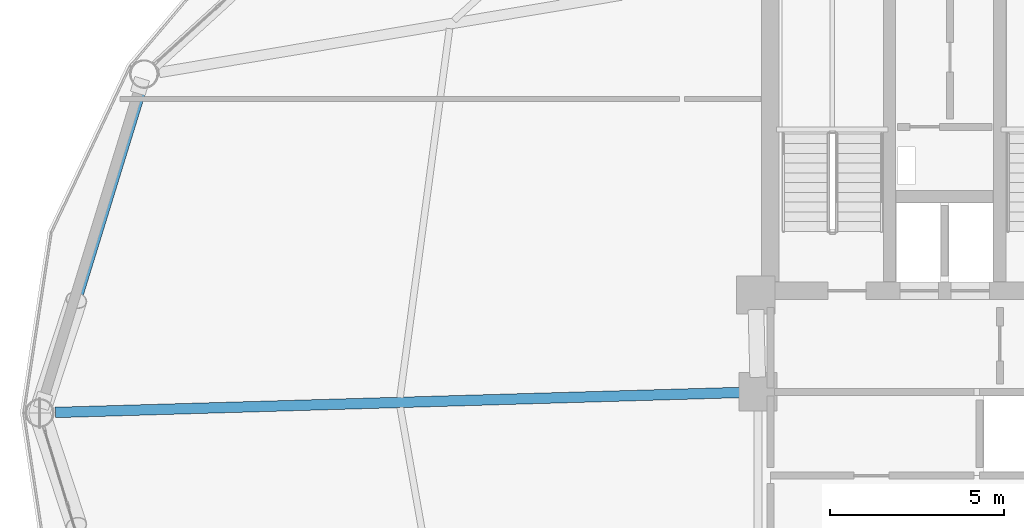
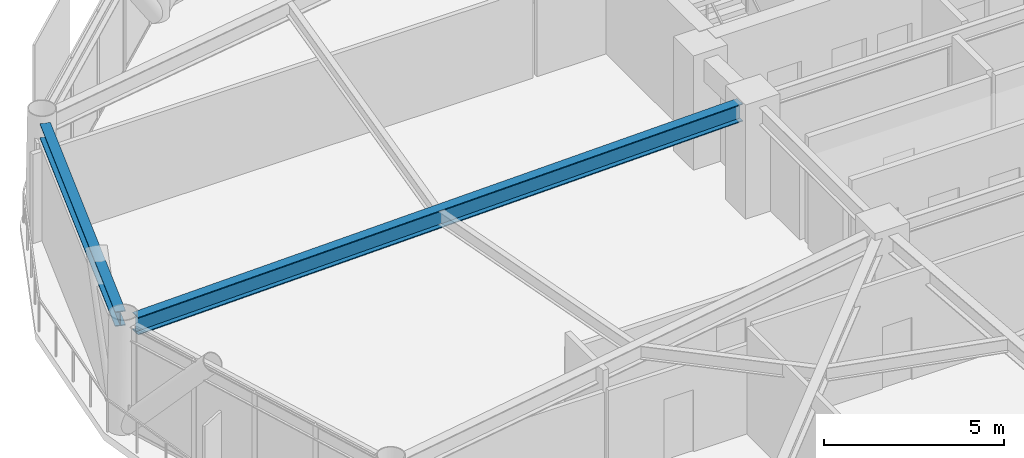
# One storey, part 9 of 24: 2 beams.
"""IFC4 building model written with IfcOpenShell, lengths in metres."""

import ifcopenshell
import ifcopenshell.guid

model = None  # the IFC model being written
_history = None  # IfcOwnerHistory: only IFC2X3 demands one
_inside = {}  # id of a spatial element -> (the spatial element, [elements in it])
_under = {}  # id of a project, library or spatial element -> (it, [spatial elements below it])
_declared = {}  # id of a project -> (the project, [libraries it declares])
_typed = {}  # id of a type object -> (the type object, [elements of that type])
_made_of = {}  # id of a material, layer set ... -> (it, [elements and type objects made of it])


def new_model(schema):
    """Start an empty IFC model of exactly this schema.

    Asked for "IFC4X3", IfcOpenShell would pick the latest addendum, in which some entities
    have other attributes; the version numbers below select the first issue.
    IFC2X3 requires an IfcOwnerHistory on every rooted entity: one is made here for all.
    """
    global model, _history
    if schema == "IFC4X3":
        model = ifcopenshell.file(schema_version=(4, 3, 0, 0))
    else:
        model = ifcopenshell.file(schema=schema)
    _inside.clear()
    _under.clear()
    _declared.clear()
    _typed.clear()
    _made_of.clear()
    _history = None
    if model.schema == "IFC2X3":
        org = make("IfcOrganization", Name="unknown")
        user = make(
            "IfcPersonAndOrganization",
            ThePerson=make("IfcPerson", FamilyName="unknown"),
            TheOrganization=org,
        )
        app = make(
            "IfcApplication",
            ApplicationDeveloper=org,
            Version="unknown",
            ApplicationFullName="unknown",
            ApplicationIdentifier="unknown",
        )
        _history = make(
            "IfcOwnerHistory",
            OwningUser=user,
            OwningApplication=app,
            ChangeAction="ADDED",
            CreationDate=0,
        )
    return model


def make(cls, **values):
    """One entity of the class cls with the attributes given. An attribute that is None is left unset."""
    return model.create_entity(
        cls, **{name: value for name, value in values.items() if value is not None}
    )


def rooted(cls, **values):
    """An entity with a GlobalId (a new one), such as an element, a storey or a relation."""
    return make(cls, GlobalId=ifcopenshell.guid.new(), OwnerHistory=_history, **values)


def si_unit(unit_type, name, prefix=None):
    """IfcSIUnit, for example si_unit("LENGTHUNIT", "METRE", prefix="MILLI")."""
    return make("IfcSIUnit", UnitType=unit_type, Prefix=prefix, Name=name)


def assignment(units):
    """IfcUnitAssignment: the units of a project."""
    return None if units is None else make("IfcUnitAssignment", Units=units)


def point(xyz):
    """IfcCartesianPoint."""
    return None if xyz is None else make("IfcCartesianPoint", Coordinates=xyz)


def direction(xyz):
    """IfcDirection."""
    return None if xyz is None else make("IfcDirection", DirectionRatios=xyz)


def frame(location, z_axis=None, x_axis=None):
    """IfcAxis2Placement3D, a coordinate frame: its origin and axes. An axis left out is left unset."""
    return make(
        "IfcAxis2Placement3D",
        Location=point(location),
        Axis=direction(z_axis),
        RefDirection=direction(x_axis),
    )


def frame_2d(location, x_axis=None):
    """IfcAxis2Placement2D, a coordinate frame in the plane: its origin and x axis."""
    return make(
        "IfcAxis2Placement2D", Location=point(location), RefDirection=direction(x_axis)
    )


def origin():
    """The frame at (0, 0, 0) with its axes left unset."""
    return frame((0.0, 0.0, 0.0))


def origin_2d():
    """The frame at (0, 0) in the plane with its x axis left unset."""
    return frame_2d((0.0, 0.0))


def place(relative_to, where):
    """IfcLocalPlacement: puts the frame where relative to a parent placement (None: the world)."""
    return make(
        "IfcLocalPlacement", PlacementRelTo=relative_to, RelativePlacement=where
    )


def context(
    kind, dimensions, precision=None, world=None, true_north=None, identifier=None
):
    """IfcGeometricRepresentationContext, for example the 3D "Model" context."""
    return make(
        "IfcGeometricRepresentationContext",
        ContextIdentifier=identifier,
        ContextType=kind,
        CoordinateSpaceDimension=dimensions,
        Precision=precision,
        WorldCoordinateSystem=world,
        TrueNorth=true_north,
    )


def subcontext(parent, identifier, kind, view, scale=None):
    """IfcGeometricRepresentationSubContext, for example "Body" below "Model"."""
    return make(
        "IfcGeometricRepresentationSubContext",
        ContextIdentifier=identifier,
        ContextType=kind,
        ParentContext=parent,
        TargetScale=scale,
        TargetView=view,
    )


def project(units=None, contexts=None):
    """IfcProject with its units and contexts."""
    return rooted(
        "IfcProject",
        Name="project",
        RepresentationContexts=contexts,
        UnitsInContext=assignment(units),
    )


def spatial(cls, under=None, at=None, **own):
    """A site, building, storey or space (cls), placed at a placement, below another one or the project."""
    s = rooted(cls, ObjectPlacement=at, **own)
    if under is not None:
        _under.setdefault(under.id(), (under, []))[1].append(s)
    return s


def profile(cls, at=None, kind="AREA", **sizes):
    """A parametric profile (cls). Its sizes go by their IFC names, for example OverallWidth=200.0."""
    return make(cls, ProfileType=kind, Position=at, **sizes)


def i_section(**sizes):
    """IfcIShapeProfileDef."""
    return profile("IfcIShapeProfileDef", **sizes)


def extrude(swept, where, along, depth):
    """IfcExtrudedAreaSolid: the profile swept, set in the frame where, extruded along a direction by depth."""
    return make(
        "IfcExtrudedAreaSolid",
        SweptArea=swept,
        Position=where,
        ExtrudedDirection=direction(along),
        Depth=depth,
    )


def shape(context_of_items, identifier, shape_type, items):
    """IfcShapeRepresentation: the items that make up one representation, for example the "Body"."""
    return make(
        "IfcShapeRepresentation",
        ContextOfItems=context_of_items,
        RepresentationIdentifier=identifier,
        RepresentationType=shape_type,
        Items=items,
    )


def material(Name=None, Category=None):
    """IfcMaterial."""
    return make("IfcMaterial", Name=Name, Category=Category)


def material_profile(
    of_material, cross_section, Name=None, Category=None, Priority=None
):
    """IfcMaterialProfile: a cross section and its material."""
    return make(
        "IfcMaterialProfile",
        Name=Name,
        Material=of_material,
        Profile=cross_section,
        Priority=Priority,
        Category=Category,
    )


def profile_set(profiles, Name=None, composite=None):
    """IfcMaterialProfileSet."""
    return make(
        "IfcMaterialProfileSet",
        Name=Name,
        MaterialProfiles=profiles,
        CompositeProfile=composite,
    )


def made_of(thing, what):
    """Note that an element or type object is made of a material, layer set ...; save() writes the relation."""
    if what is not None:
        _made_of.setdefault(what.id(), (what, []))[1].append(thing)
    return thing


def type_object(cls, material=None, **own):
    """A type object (cls), such as IfcWallType, which elements share."""
    return made_of(rooted(cls, **own), material)


def element(
    cls,
    number,
    at=None,
    inside=None,
    cuts=None,
    type_object=None,
    material=None,
    context=None,
    identifier="Body",
    shape_type=None,
    held_by="IfcProductDefinitionShape",
    body=None,
    shapes=None,
    **own,
):
    """One element of the class cls, such as IfcWall. Its Tag is "e" and its number.

    at: its placement. inside: the storey or other place that contains it. cuts: it is an
    opening in that element (IfcRelVoidsElement). A single representation is given by context,
    identifier, shape_type and body (its items); several are given by shapes. held_by: the class
    of the entity that holds the representations. save() writes the other relations.
    """
    e = rooted(cls, Tag="e%d" % number, ObjectPlacement=at, **own)
    if body is not None:
        shapes = [shape(context, identifier, shape_type, body)]
    if shapes is not None:
        e.Representation = make(held_by, Representations=shapes)
    if inside is not None:
        _inside.setdefault(inside.id(), (inside, []))[1].append(e)
    if cuts is not None:
        rooted(
            "IfcRelVoidsElement", RelatingBuildingElement=cuts, RelatedOpeningElement=e
        )
    if type_object is not None:
        _typed.setdefault(type_object.id(), (type_object, []))[1].append(e)
    return made_of(e, material)


def aggregate(whole, parts):
    """IfcRelAggregates: a whole, such as a stair, and the parts it consists of."""
    return rooted("IfcRelAggregates", RelatingObject=whole, RelatedObjects=parts)


def save(model, path):
    """Write the relations noted so far, then the file.

    IfcRelAggregates (storeys below a building ...), IfcRelContainedInSpatialStructure (elements
    in a storey), IfcRelDefinesByType, IfcRelAssociatesMaterial and IfcRelDeclares: one each for
    every whole, place, type object, material and project.
    """
    for whole, parts in _under.values():
        aggregate(whole, parts)
    for where, things in _inside.values():
        rooted(
            "IfcRelContainedInSpatialStructure",
            RelatedElements=things,
            RelatingStructure=where,
        )
    for kind, things in _typed.values():
        rooted("IfcRelDefinesByType", RelatedObjects=things, RelatingType=kind)
    for what, things in _made_of.values():
        rooted("IfcRelAssociatesMaterial", RelatedObjects=things, RelatingMaterial=what)
    for by, libraries in _declared.values():
        rooted("IfcRelDeclares", RelatingContext=by, RelatedDefinitions=libraries)
    model.write(path)


model = new_model("IFC4")

# Units and contexts
model_context = context("Model", 3, precision=1e-05, world=origin(), true_north=direction((0.0, 1.0)))
body_context = subcontext(model_context, "Body", "Model", "MODEL_VIEW")
ifc_project = project(units=[si_unit("LENGTHUNIT", "METRE"), si_unit("AREAUNIT", "SQUARE_METRE"), si_unit("VOLUMEUNIT", "CUBIC_METRE"), si_unit("PLANEANGLEUNIT", "RADIAN"), si_unit("MASSUNIT", "GRAM", prefix="KILO")], contexts=[model_context])

# Site, building, storey
site_placement = place(None, origin())
site = spatial("IfcSite", under=ifc_project, at=site_placement, CompositionType="ELEMENT")
building_placement = place(site_placement, origin())
building = spatial("IfcBuilding", under=site, at=building_placement, Name="Varnakorn Sky Granary", CompositionType="ELEMENT")
storey_placement = place(building_placement, frame((0.0, 0.0, 111.0)))
storey = spatial("IfcBuildingStorey", under=building, at=storey_placement, Name="L27", CompositionType="ELEMENT", Elevation=111.0)

# Beams
ifc_material = material(Name="Steel S355JR", Category="steel")
ifc_material_profile_1 = material_profile(ifc_material, i_section(OverallWidth=0.300048828125, OverallDepth=0.60009765625, WebThickness=0.015380859375, FlangeThickness=0.030029296875, at=origin_2d()), Name="HE 600 B")
ifc_profile_set_1 = profile_set([ifc_material_profile_1], Name="Steel S355JR")
beam_type_1 = type_object("IfcBeamType", Name="BM-RAD-Z2", PredefinedType="BEAM", material=ifc_profile_set_1)
beam_1_placement = place(storey_placement, frame((-2.769775390625, 0.587646484375, 3.340087890625), z_axis=(-0.999573520987, -0.029202331112, 0.0), x_axis=(0.029202331112, -0.999573520987, 0.0)))
element("IfcBeam", 1, at=beam_1_placement, inside=storey, type_object=beam_type_1, Name="Radial Floor Girder RG07 L27", PredefinedType="BEAM", context=body_context, shape_type="SweptSolid", body=[
    extrude(i_section(OverallWidth=0.300048828125, OverallDepth=0.60009765625, WebThickness=0.015380859375, FlangeThickness=0.030029296875, at=origin_2d()), origin(), (0.0, 0.0, 1.0), 19.730224609375),
])
ifc_material_profile_2 = material_profile(ifc_material, i_section(OverallWidth=0.300048828125, OverallDepth=0.5, WebThickness=0.014404296875, FlangeThickness=0.028076171875, at=origin_2d()), Name="HE 500 B")
ifc_profile_set_2 = profile_set([ifc_material_profile_2], Name="Steel S355JR")
beam_type_2 = type_object("IfcBeamType", Name="BM-SPD-Z2", PredefinedType="SPANDREL", material=ifc_profile_set_2)
beam_2_placement = place(storey_placement, frame((-20.016357421875, 9.31689453125, 3.389892578125), z_axis=(-0.294074847193, -0.955782393774, 0.0), x_axis=(0.955782393774, -0.294074847193, 0.0)))
element("IfcBeam", 2, at=beam_2_placement, inside=storey, type_object=beam_type_2, Name="Perimeter Spandrel Ring Beam RB06 L27", PredefinedType="SPANDREL", context=body_context, shape_type="SweptSolid", body=[
    extrude(i_section(OverallWidth=0.300048828125, OverallDepth=0.5, WebThickness=0.014404296875, FlangeThickness=0.028076171875, at=origin_2d()), origin(), (0.0, 0.0, 1.0), 9.3564453125),
])

save(model, "model.ifc")
